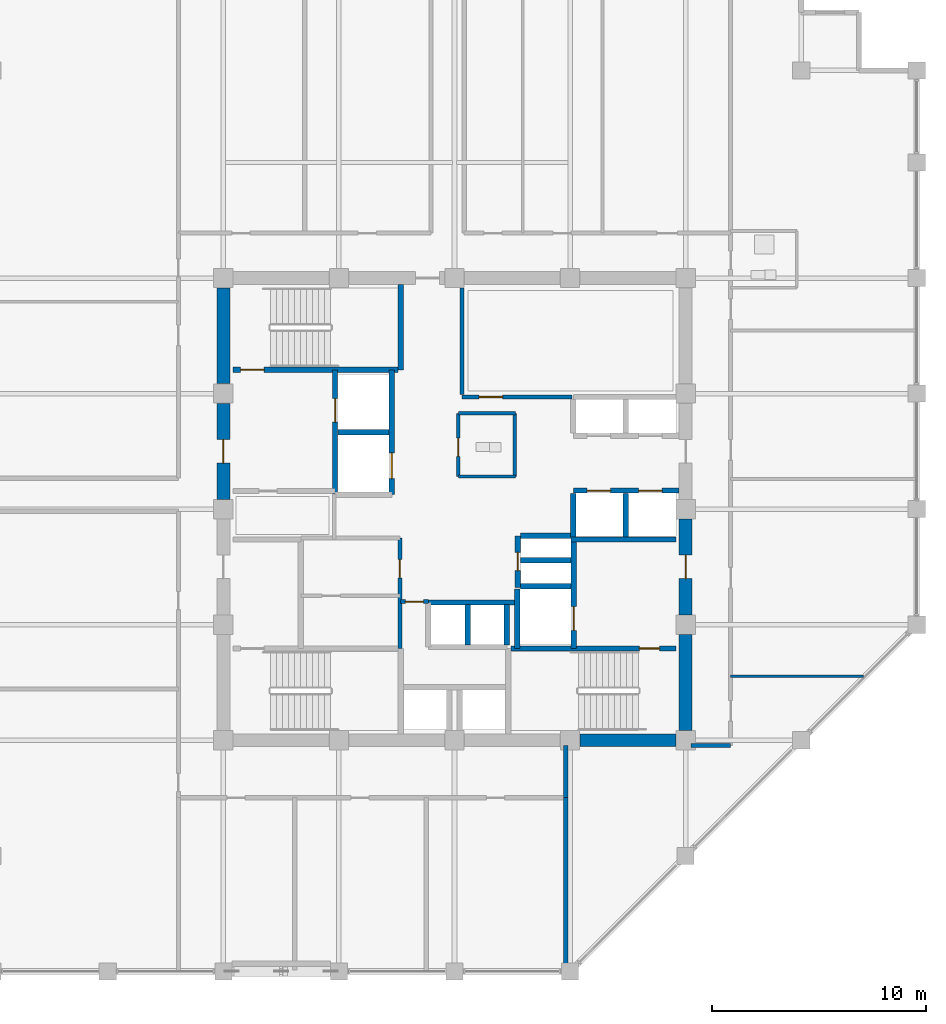
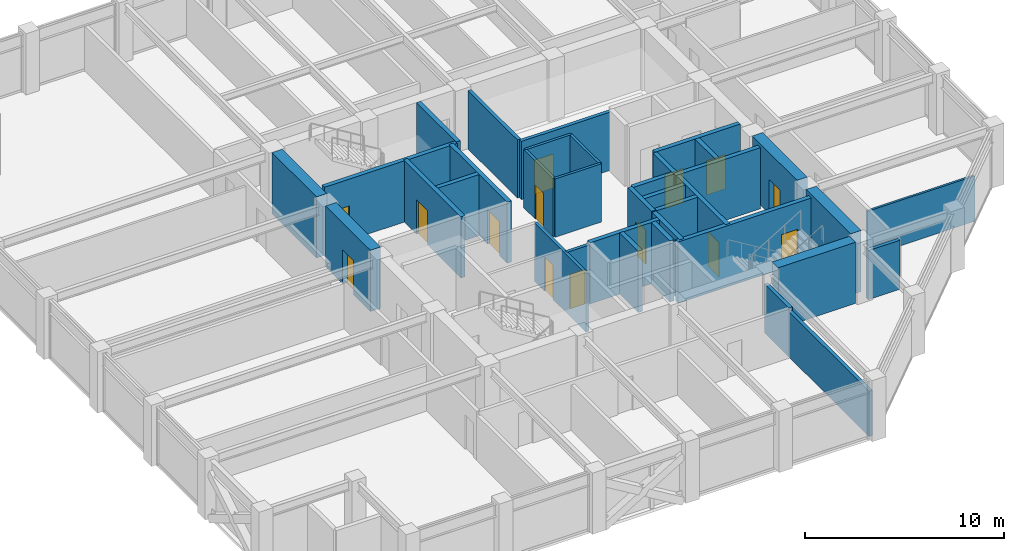
# One storey, part 28 of 32: 36 walls, 14 doors, 14 openings.
"""IFC4 building model written with IfcOpenShell, lengths in metres."""

from ifc_helpers import new_model, si_unit, direction, frame, frame_2d, origin, place, context, subcontext, project, spatial, rectangle, extrude, material, layer, layer_set, type_object, element, fill, save


model = new_model("IFC4")

# Units and contexts
model_context = context("Model", 3, precision=1e-05, world=origin(), true_north=direction((0.0, 1.0)))
body_context = subcontext(model_context, "Body", "Model", "MODEL_VIEW")
ifc_project = project(units=[si_unit("LENGTHUNIT", "METRE"), si_unit("AREAUNIT", "SQUARE_METRE"), si_unit("VOLUMEUNIT", "CUBIC_METRE"), si_unit("PLANEANGLEUNIT", "RADIAN"), si_unit("MASSUNIT", "GRAM", prefix="KILO")], contexts=[model_context])

# Site, building, storey
site_placement = place(None, origin())
site = spatial("IfcSite", under=ifc_project, at=site_placement, CompositionType="ELEMENT")
building_placement = place(site_placement, origin())
building = spatial("IfcBuilding", under=site, at=building_placement, Name="Surkhivell Harbour Commons", CompositionType="ELEMENT")
storey_placement = place(building_placement, frame((0.0, 0.0, 219.75)))
storey = spatial("IfcBuildingStorey", under=building, at=storey_placement, Name="L57", CompositionType="ELEMENT", Elevation=219.75)

# Wall
ifc_material_1 = material(Name="Concrete C60/75", Category="concrete")
ifc_layer_1 = layer(ifc_material_1, 0.60009765625)
ifc_layer_set_1 = layer_set([ifc_layer_1], Name="Concrete C60/75")
wall_type_1 = type_object("IfcWallType", Name="WAL-CORE-600", PredefinedType="SHEAR", material=ifc_layer_set_1)
wall_1_placement = place(storey_placement, frame((10.800048828125, -10.340087890625, 0.0), z_axis=(0.0, 0.0, 1.0), x_axis=(0.0, 1.0, 0.0)))
element("IfcWall", 1, at=wall_1_placement, inside=storey, type_object=wall_type_1, Name="L57 Core Shear Wall East 1", PredefinedType="SHEAR", context=body_context, shape_type="SweptSolid", body=[
    extrude(rectangle(XDim=4.47998046875, YDim=0.60009765625, at=frame_2d((2.239990234375, 0.0))), origin(), (0.0, 0.0, 1.0), 3.75),
])

# Wall, opening, door
wall_2_placement = place(storey_placement, frame((10.800048828125, -4.93994140625, 0.0), z_axis=(0.0, 0.0, 1.0), x_axis=(0.0, 1.0, 0.0)))
wall_2 = element("IfcWall", 2, at=wall_2_placement, inside=storey, type_object=wall_type_1, Name="L57 Core Shear Wall East 2", PredefinedType="SHEAR", context=body_context, shape_type="SweptSolid", body=[
    extrude(rectangle(XDim=4.47998046875, YDim=0.60009765625, at=frame_2d((2.239990234375, 0.0))), origin(), (0.0, 0.0, 1.0), 3.75),
])
opening_1_placement = place(wall_2_placement, frame((1.68994140625, 0.0, 0.0)))
opening_1 = element("IfcOpeningElement", 3, at=opening_1_placement, cuts=wall_2, Name="Opening ID-1", PredefinedType="OPENING", context=body_context, shape_type="SweptSolid", body=[
    extrude(rectangle(XDim=1.10009765625, YDim=2.10009765625, at=frame_2d((0.550048828125, 1.050048828125))), frame((0.0, 0.31005859375, 0.0), z_axis=(0.0, -1.0, 0.0), x_axis=(1.0, 0.0, 0.0)), (0.0, 0.0, 1.0), 0.6201171875),
])
ifc_material_2 = material(Name="Hardwood-veneered fire-rated door leaf", Category="wood")
door_type_1 = type_object("IfcDoorType", Name="DOR-FD120-1100", OperationType="NOTDEFINED", PredefinedType="DOOR", material=ifc_material_2)
door_1_placement = place(opening_1_placement, origin())
door_1 = element("IfcDoor", 4, at=door_1_placement, inside=storey, type_object=door_type_1, Name="L57 Firefighting Lobby 2 Corridor Door", OperationType="SINGLE_SWING_RIGHT", OverallHeight=2.10009765625, OverallWidth=1.10009765625, PredefinedType="DOOR", context=body_context, shape_type="SweptSolid", body=[
    extrude(rectangle(XDim=1.10009765625, YDim=2.10009765625, at=frame_2d((0.550048828125, 1.050048828125))), frame((0.0, 0.02490234375, 0.0), z_axis=(0.0, -1.0, 0.0), x_axis=(1.0, 0.0, 0.0)), (0.0, 0.0, 1.0), 0.050048828125),
])
fill(opening_1, door_1)

wall_3_placement = place(storey_placement, frame((-10.800048828125, 0.4599609375, 0.0), z_axis=(0.0, 0.0, 1.0), x_axis=(0.0, 1.0, 0.0)))
wall_3 = element("IfcWall", 5, at=wall_3_placement, inside=storey, type_object=wall_type_1, Name="L57 Core Shear Wall West 3", PredefinedType="SHEAR", context=body_context, shape_type="SweptSolid", body=[
    extrude(rectangle(XDim=4.47998046875, YDim=0.60009765625, at=frame_2d((2.239990234375, 0.0))), origin(), (0.0, 0.0, 1.0), 3.75),
])
opening_2_placement = place(wall_3_placement, frame((1.68994140625, 0.0, 0.0)))
opening_2 = element("IfcOpeningElement", 6, at=opening_2_placement, cuts=wall_3, Name="Opening ID-1", PredefinedType="OPENING", context=body_context, shape_type="SweptSolid", body=[
    extrude(rectangle(XDim=1.10009765625, YDim=2.10009765625, at=frame_2d((0.550048828125, 1.050048828125))), frame((0.0, 0.31005859375, 0.0), z_axis=(0.0, -1.0, 0.0), x_axis=(1.0, 0.0, 0.0)), (0.0, 0.0, 1.0), 0.6201171875),
])
door_2_placement = place(opening_2_placement, origin())
door_2 = element("IfcDoor", 7, at=door_2_placement, inside=storey, type_object=door_type_1, Name="L57 Firefighting Lobby 1 Corridor Door", OperationType="SINGLE_SWING_LEFT", OverallHeight=2.10009765625, OverallWidth=1.10009765625, PredefinedType="DOOR", context=body_context, shape_type="SweptSolid", body=[
    extrude(rectangle(XDim=1.10009765625, YDim=2.10009765625, at=frame_2d((0.550048828125, 1.050048828125))), frame((0.0, 0.02490234375, 0.0), z_axis=(0.0, -1.0, 0.0), x_axis=(1.0, 0.0, 0.0)), (0.0, 0.0, 1.0), 0.050048828125),
])
fill(opening_2, door_2)

# Walls
for number, where, z_axis, x_axis, name in (
    (8, (5.860107421875, -10.800048828125, 0.0), (0.0, 0.0, 1.0), (1.0, 0.0, 0.0), "L57 Core Shear Wall South 4"),
    (9, (-10.800048828125, 5.860107421875, 0.0), (0.0, 0.0, 1.0), (0.0, 1.0, 0.0), "L57 Core Shear Wall West 4"),
):
    element("IfcWall", number, at=place(storey_placement, frame(where, z_axis=z_axis, x_axis=x_axis)), inside=storey, type_object=wall_type_1, Name=name, PredefinedType="SHEAR", context=body_context, shape_type="SweptSolid", body=[
        extrude(rectangle(XDim=4.47998046875, YDim=0.60009765625, at=frame_2d((2.239990234375, 0.0))), origin(), (0.0, 0.0, 1.0), 3.75),
    ])
ifc_material_3 = material(Name="Moisture-resistant acoustic stud partition", Category="other")
ifc_layer_2 = layer(ifc_material_3, 0.125)
ifc_layer_set_2 = layer_set([ifc_layer_2], Name="Moisture-resistant acoustic stud partition")
wall_type_2 = type_object("IfcWallType", Name="WAL-INT-125", PredefinedType="PARTITIONING", material=ifc_layer_set_2)
wall_4_placement = place(storey_placement, frame((12.89990234375, -7.800048828125, 0.0), z_axis=(0.0, 0.0, 1.0), x_axis=(1.0, 0.0, 0.0)))
element("IfcWall", 10, at=wall_4_placement, inside=storey, type_object=wall_type_2, Name="L57 East Partition PBOT", PredefinedType="PARTITIONING", context=body_context, shape_type="SweptSolid", body=[
    extrude(rectangle(XDim=6.21533203125, YDim=0.125, at=frame_2d((3.107666015625, 0.0))), origin(), (0.0, 0.0, 1.0), 2.780029296875),
])
ifc_material_4 = material(Name="Twin-stud acoustic fireboard partition", Category="other")
ifc_layer_3 = layer(ifc_material_4, 0.14990234375)
ifc_layer_set_3 = layer_set([ifc_layer_3], Name="Twin-stud acoustic fireboard partition")
wall_type_3 = type_object("IfcWallType", Name="WAL-INT-150", PredefinedType="PARTITIONING", material=ifc_layer_set_3)
wall_5_placement = place(storey_placement, frame((2.820068359375, 1.52001953125, 0.0), z_axis=(0.0, 0.0, 1.0), x_axis=(0.0, 1.0, 0.0)))
element("IfcWall", 11, at=wall_5_placement, inside=storey, type_object=wall_type_3, Name="L57 Core Accessible WC East Wall", PredefinedType="PARTITIONING", context=body_context, shape_type="SweptSolid", body=[
    extrude(rectangle(XDim=2.9599609375, YDim=0.14990234375, at=frame_2d((1.47998046875, 0.0))), origin(), (0.0, 0.0, 1.0), 3.570068359375),
])
for number, where, z_axis, x_axis, name in (
    (12, (0.179931640625, 4.47998046875, 0.0), (0.0, 0.0, 1.0), (1.0, 0.0, 0.0), "L57 Core Accessible WC North Wall"),
    (13, (0.179931640625, 1.52001953125, 0.0), (0.0, 0.0, 1.0), (1.0, 0.0, 0.0), "L57 Core Accessible WC South Wall"),
):
    element("IfcWall", number, at=place(storey_placement, frame(where, z_axis=z_axis, x_axis=x_axis)), inside=storey, type_object=wall_type_3, Name=name, PredefinedType="PARTITIONING", context=body_context, shape_type="SweptSolid", body=[
        extrude(rectangle(XDim=2.670166015625, YDim=0.14990234375, at=frame_2d((1.3349609375, 0.0))), origin(), (0.0, 0.0, 1.0), 3.570068359375),
    ])

# Wall, opening, door
wall_6_placement = place(storey_placement, frame((0.179931640625, 1.52001953125, 0.0), z_axis=(0.0, 0.0, 1.0), x_axis=(0.0, 1.0, 0.0)))
wall_6 = element("IfcWall", 14, at=wall_6_placement, inside=storey, type_object=wall_type_3, Name="L57 Core Accessible WC West Wall", PredefinedType="PARTITIONING", context=body_context, shape_type="SweptSolid", body=[
    extrude(rectangle(XDim=2.9599609375, YDim=0.14990234375, at=frame_2d((1.47998046875, 0.0))), origin(), (0.0, 0.0, 1.0), 3.570068359375),
])
opening_3_placement = place(wall_6_placement, frame((0.949951171875, 0.0, 0.0)))
opening_3 = element("IfcOpeningElement", 15, at=opening_3_placement, cuts=wall_6, Name="Opening ID-6", PredefinedType="OPENING", context=body_context, shape_type="SweptSolid", body=[
    extrude(rectangle(XDim=0.85009765625, YDim=2.10009765625, at=frame_2d((0.425048828125, 1.050048828125))), frame((0.0, 0.0849609375, 0.0), z_axis=(0.0, -1.0, 0.0), x_axis=(1.0, 0.0, 0.0)), (0.0, 0.0, 1.0), 0.169921875),
])
door_type_2 = type_object("IfcDoorType", Name="DOR-FD30-850", OperationType="NOTDEFINED", PredefinedType="DOOR", material=ifc_material_2)
door_3_placement = place(opening_3_placement, origin())
door_3 = element("IfcDoor", 16, at=door_3_placement, inside=storey, type_object=door_type_2, Name="L57 Floor Accessible WC Door", OperationType="SINGLE_SWING_RIGHT", OverallHeight=2.10009765625, OverallWidth=0.85009765625, PredefinedType="DOOR", context=body_context, shape_type="SweptSolid", body=[
    extrude(rectangle(XDim=0.85009765625, YDim=2.10009765625, at=frame_2d((0.425048828125, 1.050048828125))), frame((0.0, 0.02490234375, 0.0), z_axis=(0.0, -1.0, 0.0), x_axis=(1.0, 0.0, 0.0)), (0.0, 0.0, 1.0), 0.050048828125),
])
fill(opening_3, door_3)

ifc_material_5 = material(Name="High-density acoustic blockwork fire partition", Category="masonry")
ifc_layer_4 = layer(ifc_material_5, 0.175048828125)
ifc_layer_set_4 = layer_set([ifc_layer_4], Name="High-density acoustic blockwork fire partition")
wall_type_4 = type_object("IfcWallType", Name="WAL-INT-175", PredefinedType="PARTITIONING", material=ifc_layer_set_4)
wall_7_placement = place(storey_placement, frame((-2.550048828125, -6.510009765625, 0.0), z_axis=(0.0, 0.0, 1.0), x_axis=(0.0, 1.0, 0.0)))
wall_7 = element("IfcWall", 17, at=wall_7_placement, inside=storey, type_object=wall_type_4, Name="L57 Core Service Bay East Wall", PredefinedType="PARTITIONING", context=body_context, shape_type="SweptSolid", body=[
    extrude(rectangle(XDim=5.159912109375, YDim=0.175048828125, at=frame_2d((2.580078125, 0.0))), origin(), (0.0, 0.0, 1.0), 3.570068359375),
])
opening_4_placement = place(wall_7_placement, frame((3.300048828125, 0.0, 0.0)))
opening_4 = element("IfcOpeningElement", 18, at=opening_4_placement, cuts=wall_7, Name="Opening ID-6", PredefinedType="OPENING", context=body_context, shape_type="SweptSolid", body=[
    extrude(rectangle(XDim=0.85009765625, YDim=2.10009765625, at=frame_2d((0.425048828125, 1.050048828125))), frame((0.0, 0.097412109375, 0.0), z_axis=(0.0, -1.0, 0.0), x_axis=(1.0, 0.0, 0.0)), (0.0, 0.0, 1.0), 0.195068359375),
])
door_4_placement = place(opening_4_placement, origin())
door_4 = element("IfcDoor", 19, at=door_4_placement, inside=storey, type_object=door_type_2, Name="L57 Core Reading Alcove Door", OperationType="SINGLE_SWING_LEFT", OverallHeight=2.10009765625, OverallWidth=0.85009765625, PredefinedType="DOOR", context=body_context, shape_type="SweptSolid", body=[
    extrude(rectangle(XDim=0.85009765625, YDim=2.10009765625, at=frame_2d((0.425048828125, 1.050048828125))), frame((0.0, 0.02490234375, 0.0), z_axis=(0.0, -1.0, 0.0), x_axis=(1.0, 0.0, 0.0)), (0.0, 0.0, 1.0), 0.050048828125),
])
fill(opening_4, door_4)

wall_8_placement = place(storey_placement, frame((-2.52001953125, -4.320068359375, 0.0), z_axis=(0.0, 0.0, 1.0), x_axis=(1.0, 0.0, 0.0)))
wall_8 = element("IfcWall", 20, at=wall_8_placement, inside=storey, type_object=wall_type_4, Name="L57 High-Rise Lobby North Portal Wall", PredefinedType="PARTITIONING", context=body_context, shape_type="SweptSolid", body=[
    extrude(rectangle(XDim=1.300048828125, YDim=0.175048828125, at=frame_2d((0.64990234375, 0.0))), origin(), (0.0, 0.0, 1.0), 3.570068359375),
])
opening_5_placement = place(wall_8_placement, frame((0.219970703125, 0.0, 0.0)))
opening_5 = element("IfcOpeningElement", 21, at=opening_5_placement, cuts=wall_8, Name="Opening ID-6", PredefinedType="OPENING", context=body_context, shape_type="SweptSolid", body=[
    extrude(rectangle(XDim=0.85009765625, YDim=2.10009765625, at=frame_2d((0.425048828125, 1.050048828125))), frame((0.0, 0.097412109375, 0.0), z_axis=(0.0, -1.0, 0.0), x_axis=(1.0, 0.0, 0.0)), (0.0, 0.0, 1.0), 0.195068359375),
])
door_5_placement = place(opening_5_placement, origin())
door_5 = element("IfcDoor", 22, at=door_5_placement, inside=storey, type_object=door_type_2, Name="L57 High-Rise Lift Lobby North Door", OperationType="SINGLE_SWING_LEFT", OverallHeight=2.10009765625, OverallWidth=0.85009765625, PredefinedType="DOOR", context=body_context, shape_type="SweptSolid", body=[
    extrude(rectangle(XDim=0.85009765625, YDim=2.10009765625, at=frame_2d((0.425048828125, 1.050048828125))), frame((0.0, 0.02490234375, 0.0), z_axis=(0.0, -1.0, 0.0), x_axis=(1.0, 0.0, 0.0)), (0.0, 0.0, 1.0), 0.050048828125),
])
fill(opening_5, door_5)

ifc_material_6 = material(Name="Autoclaved aerated concrete blockwork and fire plaster", Category="masonry")
ifc_layer_5 = layer(ifc_material_6, 0.199951171875)
ifc_layer_set_5 = layer_set([ifc_layer_5], Name="Autoclaved aerated concrete blockwork and fire plaster")
wall_type_5 = type_object("IfcWallType", Name="WAL-INT-200", PredefinedType="PARTITIONING", material=ifc_layer_set_5)
wall_9_placement = place(storey_placement, frame((0.35009765625, 5.239990234375, 0.0), z_axis=(0.0, 0.0, 1.0), x_axis=(1.0, 0.0, 0.0)))
wall_9 = element("IfcWall", 23, at=wall_9_placement, inside=storey, type_object=wall_type_5, Name="L57 Reclaimed Core North Bay South Wall", PredefinedType="PARTITIONING", context=body_context, shape_type="SweptSolid", body=[
    extrude(rectangle(XDim=5.14990234375, YDim=0.199951171875, at=frame_2d((2.574951171875, 0.0))), origin(), (0.0, 0.0, 1.0), 3.570068359375),
])
opening_6_placement = place(wall_9_placement, frame((0.800048828125, 0.0, 0.0)))
opening_6 = element("IfcOpeningElement", 24, at=opening_6_placement, cuts=wall_9, Name="Opening ID-2", PredefinedType="OPENING", context=body_context, shape_type="SweptSolid", body=[
    extrude(rectangle(XDim=1.10009765625, YDim=2.10009765625, at=frame_2d((0.550048828125, 1.050048828125))), frame((0.0, 0.10986328125, 0.0), z_axis=(0.0, -1.0, 0.0), x_axis=(1.0, 0.0, 0.0)), (0.0, 0.0, 1.0), 0.219970703125),
])
door_type_3 = type_object("IfcDoorType", Name="DOR-FD60-1100", OperationType="NOTDEFINED", PredefinedType="DOOR", material=ifc_material_2)
door_6_placement = place(opening_6_placement, origin())
door_6 = element("IfcDoor", 25, at=door_6_placement, inside=storey, type_object=door_type_3, Name="L57 Reading Library Door", OperationType="SINGLE_SWING_LEFT", OverallHeight=2.10009765625, OverallWidth=1.10009765625, PredefinedType="DOOR", context=body_context, shape_type="SweptSolid", body=[
    extrude(rectangle(XDim=1.10009765625, YDim=2.10009765625, at=frame_2d((0.550048828125, 1.050048828125))), frame((0.0, 0.02490234375, 0.0), z_axis=(0.0, -1.0, 0.0), x_axis=(1.0, 0.0, 0.0)), (0.0, 0.0, 1.0), 0.050048828125),
])
fill(opening_6, door_6)

# Walls
wall_10_placement = place(storey_placement, frame((0.35009765625, 5.360107421875, 0.0), z_axis=(0.0, 0.0, 1.0), x_axis=(0.0, 1.0, 0.0)))
element("IfcWall", 26, at=wall_10_placement, inside=storey, type_object=wall_type_5, Name="L57 Reclaimed Core North Bay West Wall", PredefinedType="PARTITIONING", context=body_context, shape_type="SweptSolid", body=[
    extrude(rectangle(XDim=4.97998046875, YDim=0.199951171875, at=frame_2d((2.489990234375, 0.0))), origin(), (0.0, 0.0, 1.0), 3.570068359375),
])
wall_11_placement = place(storey_placement, frame((5.199951171875, -21.5400390625, 0.0), z_axis=(0.0, 0.0, 1.0), x_axis=(0.0, 1.0, 0.0)))
element("IfcWall", 27, at=wall_11_placement, inside=storey, type_object=wall_type_5, Name="L57 South-East Corner Wall", PredefinedType="PARTITIONING", context=body_context, shape_type="SweptSolid", body=[
    extrude(rectangle(XDim=8.06005859375, YDim=0.199951171875, at=frame_2d((4.030029296875, 0.0))), origin(), (0.0, 0.0, 1.0), 2.780029296875),
])
wall_12_placement = place(storey_placement, frame((11.0400390625, -11.0400390625, 0.0), z_axis=(0.0, 0.0, 1.0), x_axis=(1.0, 0.0, 0.0)))
element("IfcWall", 28, at=wall_12_placement, inside=storey, type_object=wall_type_5, Name="L57 Corridor East South Closure Wall", PredefinedType="PARTITIONING", context=body_context, shape_type="SweptSolid", body=[
    extrude(rectangle(XDim=1.85986328125, YDim=0.199951171875, at=frame_2d((0.929931640625, 0.0))), origin(), (0.0, 0.0, 1.0), 3.006103515625),
])
wall_13_placement = place(storey_placement, frame((5.199951171875, -13.47998046875, 0.0), z_axis=(0.0, 0.0, 1.0), x_axis=(0.0, 1.0, 0.0)))
element("IfcWall", 29, at=wall_13_placement, inside=storey, type_object=wall_type_5, Name="L57 Corridor South End Wall", PredefinedType="PARTITIONING", context=body_context, shape_type="SweptSolid", body=[
    extrude(rectangle(XDim=2.43994140625, YDim=0.199951171875, at=frame_2d((1.219970703125, 0.0))), origin(), (0.0, 0.0, 1.0), 3.006103515625),
])

# Wall, opening, door
ifc_material_7 = material(Name="Concrete C50/60", Category="concrete")
ifc_layer_6 = layer(ifc_material_7, 0.25)
ifc_layer_set_6 = layer_set([ifc_layer_6], Name="Concrete C50/60")
wall_type_6 = type_object("IfcWallType", Name="WAL-SHAFT-250", PredefinedType="SHEAR", material=ifc_layer_set_6)
wall_14_placement = place(storey_placement, frame((-5.580078125, 0.719970703125, 0.0), z_axis=(0.0, 0.0, 1.0), x_axis=(0.0, 1.0, 0.0)))
wall_14 = element("IfcWall", 30, at=wall_14_placement, inside=storey, type_object=wall_type_6, Name="L57 Firefighting Lobby 1 East Shaft Wall", PredefinedType="SHEAR", context=body_context, shape_type="SweptSolid", body=[
    extrude(rectangle(XDim=5.7900390625, YDim=0.25, at=frame_2d((2.89501953125, 0.0))), origin(), (0.0, 0.0, 1.0), 3.75),
])
opening_7_placement = place(wall_14_placement, frame((3.35009765625, 0.0, 0.0)))
opening_7 = element("IfcOpeningElement", 31, at=opening_7_placement, cuts=wall_14, Name="Opening LD-1", PredefinedType="OPENING", context=body_context, shape_type="SweptSolid", body=[
    extrude(rectangle(XDim=1.10009765625, YDim=2.10009765625, at=frame_2d((0.550048828125, 1.050048828125))), frame((0.0, 0.135009765625, 0.0), z_axis=(0.0, -1.0, 0.0), x_axis=(1.0, 0.0, 0.0)), (0.0, 0.0, 1.0), 0.27001953125),
])
ifc_material_8 = material(Name="Brushed stainless steel S355", Category="steel")
door_type_4 = type_object("IfcDoorType", Name="DOR-LD-1100", OperationType="SLIDING_TO_LEFT", PredefinedType="DOOR", material=ifc_material_8)
door_7_placement = place(opening_7_placement, origin())
door_7 = element("IfcDoor", 32, at=door_7_placement, inside=storey, type_object=door_type_4, Name="L57 Lift Landing Door LD-FFL1", OperationType="SLIDING_TO_LEFT", OverallHeight=2.10009765625, OverallWidth=1.10009765625, PredefinedType="DOOR", context=body_context, shape_type="SweptSolid", body=[
    extrude(rectangle(XDim=1.10009765625, YDim=2.10009765625, at=frame_2d((0.550048828125, 1.050048828125))), frame((0.0, 0.02490234375, 0.0), z_axis=(0.0, -1.0, 0.0), x_axis=(1.0, 0.0, 0.0)), (0.0, 0.0, 1.0), 0.050048828125),
])
fill(opening_7, door_7)

# Walls
wall_15_placement = place(storey_placement, frame((2.929931640625, -6.510009765625, 0.0), z_axis=(0.0, 0.0, 1.0), x_axis=(0.0, 1.0, 0.0)))
element("IfcWall", 33, at=wall_15_placement, inside=storey, type_object=wall_type_6, Name="L57 FFL2 West Shaft Wall", PredefinedType="SHEAR", context=body_context, shape_type="SweptSolid", body=[
    extrude(rectangle(XDim=2.7900390625, YDim=0.25, at=frame_2d((1.39501953125, 0.0))), origin(), (0.0, 0.0, 1.0), 3.75),
])
wall_16_placement = place(storey_placement, frame((5.43994140625, -1.419921875, 0.0), z_axis=(0.0, 0.0, 1.0), x_axis=(1.0, 0.0, 0.0)))
element("IfcWall", 34, at=wall_16_placement, inside=storey, type_object=wall_type_6, Name="L57 Firefighting Lobby 2 North Wall", PredefinedType="SHEAR", context=body_context, shape_type="SweptSolid", body=[
    extrude(rectangle(XDim=4.900146484375, YDim=0.25, at=frame_2d((2.4501953125, 0.0))), origin(), (0.0, 0.0, 1.0), 3.75),
])
wall_17_placement = place(storey_placement, frame((3.080078125, -3.60009765625, 0.0), z_axis=(0.0, 0.0, 1.0), x_axis=(1.0, 0.0, 0.0)))
element("IfcWall", 35, at=wall_17_placement, inside=storey, type_object=wall_type_6, Name="L57 FFL2 North Shaft Wall", PredefinedType="SHEAR", context=body_context, shape_type="SweptSolid", body=[
    extrude(rectangle(XDim=2.369873046875, YDim=0.25, at=frame_2d((1.18505859375, 0.0))), origin(), (0.0, 0.0, 1.0), 3.75),
])

# Wall, opening, door
wall_18_placement = place(storey_placement, frame((5.580078125, -6.510009765625, 0.0), z_axis=(0.0, 0.0, 1.0), x_axis=(0.0, 1.0, 0.0)))
wall_18 = element("IfcWall", 36, at=wall_18_placement, inside=storey, type_object=wall_type_6, Name="L57 Firefighting Lobby 2 West Shaft Wall", PredefinedType="SHEAR", context=body_context, shape_type="SweptSolid", body=[
    extrude(rectangle(XDim=5.090087890625, YDim=0.25, at=frame_2d((2.544921875, 0.0))), origin(), (0.0, 0.0, 1.0), 3.75),
])
opening_8_placement = place(wall_18_placement, frame((0.85009765625, 0.0, 0.0)))
opening_8 = element("IfcOpeningElement", 37, at=opening_8_placement, cuts=wall_18, Name="Opening LD-1", PredefinedType="OPENING", context=body_context, shape_type="SweptSolid", body=[
    extrude(rectangle(XDim=1.10009765625, YDim=2.10009765625, at=frame_2d((0.550048828125, 1.050048828125))), frame((0.0, 0.135009765625, 0.0), z_axis=(0.0, -1.0, 0.0), x_axis=(1.0, 0.0, 0.0)), (0.0, 0.0, 1.0), 0.27001953125),
])
door_8_placement = place(opening_8_placement, origin())
door_8 = element("IfcDoor", 38, at=door_8_placement, inside=storey, type_object=door_type_4, Name="L57 Lift Landing Door LD-FFL2", OperationType="SLIDING_TO_RIGHT", OverallHeight=2.10009765625, OverallWidth=1.10009765625, PredefinedType="DOOR", context=body_context, shape_type="SweptSolid", body=[
    extrude(rectangle(XDim=1.10009765625, YDim=2.10009765625, at=frame_2d((0.550048828125, 1.050048828125))), frame((0.0, 0.02490234375, 0.0), z_axis=(0.0, -1.0, 0.0), x_axis=(1.0, 0.0, 0.0)), (0.0, 0.0, 1.0), 0.050048828125),
])
fill(opening_8, door_8)

# Walls
for number, where, z_axis, x_axis, name in (
    (39, (0.6201171875, -6.340087890625, 0.0), (0.0, 0.0, 1.0), (0.0, 1.0, 0.0), "L57 High-Rise Side Wall N"),
    (40, (2.449951171875, -6.340087890625, 0.0), (0.0, 0.0, 1.0), (0.0, 1.0, 0.0), "L57 High-Rise Side Wall N"),
):
    element("IfcWall", number, at=place(storey_placement, frame(where, z_axis=z_axis, x_axis=x_axis)), inside=storey, type_object=wall_type_6, Name=name, PredefinedType="SHEAR", context=body_context, shape_type="SweptSolid", body=[
        extrude(rectangle(XDim=1.880126953125, YDim=0.25, at=frame_2d((0.93994140625, 0.0))), origin(), (0.0, 0.0, 1.0), 3.75),
    ])
wall_19_placement = place(storey_placement, frame((-1.219970703125, -4.360107421875, 0.0), z_axis=(0.0, 0.0, 1.0), x_axis=(1.0, 0.0, 0.0)))
element("IfcWall", 41, at=wall_19_placement, inside=storey, type_object=wall_type_6, Name="L57 High-Rise North Back Shaft Wall", PredefinedType="SHEAR", context=body_context, shape_type="SweptSolid", body=[
    extrude(rectangle(XDim=4.030029296875, YDim=0.25, at=frame_2d((2.01513671875, 0.0))), origin(), (0.0, 0.0, 1.0), 3.75),
])
for number, where, z_axis, x_axis, name in (
    (42, (5.550048828125, -1.300048828125, 0.0), (0.0, 0.0, 1.0), (0.0, 1.0, 0.0), "L57 Mid-Rise Shaft Side Wall S"),
    (43, (8.0, -1.300048828125, 0.0), (0.0, 0.0, 1.0), (0.0, 1.0, 0.0), "L57 Mid-Rise Shaft Side Wall S"),
):
    element("IfcWall", number, at=place(storey_placement, frame(where, z_axis=z_axis, x_axis=x_axis)), inside=storey, type_object=wall_type_6, Name=name, PredefinedType="SHEAR", context=body_context, shape_type="SweptSolid", body=[
        extrude(rectangle(XDim=2.0400390625, YDim=0.25, at=frame_2d((1.02001953125, 0.0))), origin(), (0.0, 0.0, 1.0), 3.75),
    ])

# Wall, openings, doors
wall_20_placement = place(storey_placement, frame((5.550048828125, 0.8701171875, 0.0), z_axis=(0.0, 0.0, 1.0), x_axis=(1.0, 0.0, 0.0)))
wall_20 = element("IfcWall", 44, at=wall_20_placement, inside=storey, type_object=wall_type_6, Name="L57 Mid-Rise South Front Shaft Wall", PredefinedType="SHEAR", context=body_context, shape_type="SweptSolid", body=[
    extrude(rectangle(XDim=4.949951171875, YDim=0.25, at=frame_2d((2.47509765625, 0.0))), origin(), (0.0, 0.0, 1.0), 3.75),
])
opening_9_placement = place(wall_20_placement, frame((0.64990234375, 0.0, 0.0)))
opening_9 = element("IfcOpeningElement", 45, at=opening_9_placement, cuts=wall_20, Name="Opening LD-1", PredefinedType="OPENING", context=body_context, shape_type="SweptSolid", body=[
    extrude(rectangle(XDim=1.10009765625, YDim=2.10009765625, at=frame_2d((0.550048828125, 1.050048828125))), frame((0.0, 0.135009765625, 0.0), z_axis=(0.0, -1.0, 0.0), x_axis=(1.0, 0.0, 0.0)), (0.0, 0.0, 1.0), 0.27001953125),
])
opening_10_placement = place(wall_20_placement, frame((3.050048828125, 0.0, 0.0)))
opening_10 = element("IfcOpeningElement", 46, at=opening_10_placement, cuts=wall_20, Name="Opening LD-1", PredefinedType="OPENING", context=body_context, shape_type="SweptSolid", body=[
    extrude(rectangle(XDim=1.10009765625, YDim=2.10009765625, at=frame_2d((0.550048828125, 1.050048828125))), frame((0.0, 0.135009765625, 0.0), z_axis=(0.0, -1.0, 0.0), x_axis=(1.0, 0.0, 0.0)), (0.0, 0.0, 1.0), 0.27001953125),
])
door_9_placement = place(opening_9_placement, origin())
door_9 = element("IfcDoor", 47, at=door_9_placement, inside=storey, type_object=door_type_4, Name="L57 Lift Landing Door LD-PM3", OperationType="SLIDING_TO_RIGHT", OverallHeight=2.10009765625, OverallWidth=1.10009765625, PredefinedType="DOOR", context=body_context, shape_type="SweptSolid", body=[
    extrude(rectangle(XDim=1.10009765625, YDim=2.10009765625, at=frame_2d((0.550048828125, 1.050048828125))), frame((0.0, 0.02490234375, 0.0), z_axis=(0.0, -1.0, 0.0), x_axis=(1.0, 0.0, 0.0)), (0.0, 0.0, 1.0), 0.050048828125),
])
fill(opening_9, door_9)
door_10_placement = place(opening_10_placement, origin())
door_10 = element("IfcDoor", 48, at=door_10_placement, inside=storey, type_object=door_type_4, Name="L57 Lift Landing Door LD-PM4", OperationType="SLIDING_TO_RIGHT", OverallHeight=2.10009765625, OverallWidth=1.10009765625, PredefinedType="DOOR", context=body_context, shape_type="SweptSolid", body=[
    extrude(rectangle(XDim=1.10009765625, YDim=2.10009765625, at=frame_2d((0.550048828125, 1.050048828125))), frame((0.0, 0.02490234375, 0.0), z_axis=(0.0, -1.0, 0.0), x_axis=(1.0, 0.0, 0.0)), (0.0, 0.0, 1.0), 0.050048828125),
])
fill(opening_10, door_10)

# Walls
for number, where, z_axis, x_axis, name in (
    (49, (3.080078125, -2.3798828125, 0.0), (0.0, 0.0, 1.0), (1.0, 0.0, 0.0), "L57 Riser Divider Wall"),
    (50, (3.080078125, -1.25, 0.0), (0.0, 0.0, 1.0), (1.0, 0.0, 0.0), "L57 Riser North Wall"),
):
    element("IfcWall", number, at=place(storey_placement, frame(where, z_axis=z_axis, x_axis=x_axis)), inside=storey, type_object=wall_type_6, Name=name, PredefinedType="SHEAR", context=body_context, shape_type="SweptSolid", body=[
        extrude(rectangle(XDim=2.369873046875, YDim=0.25, at=frame_2d((1.18505859375, 0.0))), origin(), (0.0, 0.0, 1.0), 3.75),
    ])

# Wall, opening, door
wall_21_placement = place(storey_placement, frame((2.949951171875, -3.64990234375, 0.0), z_axis=(0.0, 0.0, 1.0), x_axis=(0.0, 1.0, 0.0)))
wall_21 = element("IfcWall", 51, at=wall_21_placement, inside=storey, type_object=wall_type_6, Name="L57 Riser Shaft West Wall", PredefinedType="SHEAR", context=body_context, shape_type="SweptSolid", body=[
    extrude(rectangle(XDim=2.39990234375, YDim=0.25, at=frame_2d((1.199951171875, 0.0))), origin(), (0.0, 0.0, 1.0), 3.75),
])
opening_11_placement = place(wall_21_placement, frame((0.77490234375, 0.0, 0.0)))
opening_11 = element("IfcOpeningElement", 52, at=opening_11_placement, cuts=wall_21, Name="Opening ID-6", PredefinedType="OPENING", context=body_context, shape_type="SweptSolid", body=[
    extrude(rectangle(XDim=0.85009765625, YDim=2.10009765625, at=frame_2d((0.425048828125, 1.050048828125))), frame((0.0, 0.135009765625, 0.0), z_axis=(0.0, -1.0, 0.0), x_axis=(1.0, 0.0, 0.0)), (0.0, 0.0, 1.0), 0.27001953125),
])
door_11_placement = place(opening_11_placement, origin())
door_11 = element("IfcDoor", 53, at=door_11_placement, inside=storey, type_object=door_type_2, Name="L57 Electrical Riser Access Door", OperationType="SINGLE_SWING_LEFT", OverallHeight=2.10009765625, OverallWidth=0.85009765625, PredefinedType="DOOR", context=body_context, shape_type="SweptSolid", body=[
    extrude(rectangle(XDim=0.85009765625, YDim=2.10009765625, at=frame_2d((0.425048828125, 1.050048828125))), frame((0.0, 0.02490234375, 0.0), z_axis=(0.0, -1.0, 0.0), x_axis=(1.0, 0.0, 0.0)), (0.0, 0.0, 1.0), 0.050048828125),
])
fill(opening_11, door_11)

# Wall
wall_22_placement = place(storey_placement, frame((-2.510009765625, 6.510009765625, 0.0), z_axis=(0.0, 0.0, 1.0), x_axis=(0.0, 1.0, 0.0)))
element("IfcWall", 54, at=wall_22_placement, inside=storey, type_object=wall_type_6, Name="L57 Stair ST1 East Shear Wall", PredefinedType="SHEAR", context=body_context, shape_type="SweptSolid", body=[
    extrude(rectangle(XDim=3.989990234375, YDim=0.25, at=frame_2d((1.9951171875, 0.0))), origin(), (0.0, 0.0, 1.0), 3.75),
])

# Wall, opening, door
wall_23_placement = place(storey_placement, frame((-10.340087890625, 6.510009765625, 0.0), z_axis=(0.0, 0.0, 1.0), x_axis=(1.0, 0.0, 0.0)))
wall_23 = element("IfcWall", 55, at=wall_23_placement, inside=storey, type_object=wall_type_6, Name="L57 Stair ST1 South Shear Wall", PredefinedType="SHEAR", context=body_context, shape_type="SweptSolid", body=[
    extrude(rectangle(XDim=7.7001953125, YDim=0.25, at=frame_2d((3.85009765625, 0.0))), origin(), (0.0, 0.0, 1.0), 3.75),
])
opening_12_placement = place(wall_23_placement, frame((0.35009765625, 0.0, 0.0)))
opening_12 = element("IfcOpeningElement", 56, at=opening_12_placement, cuts=wall_23, Name="Opening ID-2", PredefinedType="OPENING", context=body_context, shape_type="SweptSolid", body=[
    extrude(rectangle(XDim=1.10009765625, YDim=2.10009765625, at=frame_2d((0.550048828125, 1.050048828125))), frame((0.0, 0.135009765625, 0.0), z_axis=(0.0, -1.0, 0.0), x_axis=(1.0, 0.0, 0.0)), (0.0, 0.0, 1.0), 0.27001953125),
])
door_12_placement = place(opening_12_placement, origin())
door_12 = element("IfcDoor", 57, at=door_12_placement, inside=storey, type_object=door_type_3, Name="L57 Stair ST1 Exit Door", OperationType="SINGLE_SWING_LEFT", OverallHeight=2.10009765625, OverallWidth=1.10009765625, PredefinedType="DOOR", context=body_context, shape_type="SweptSolid", body=[
    extrude(rectangle(XDim=1.10009765625, YDim=2.10009765625, at=frame_2d((0.550048828125, 1.050048828125))), frame((0.0, 0.02490234375, 0.0), z_axis=(0.0, -1.0, 0.0), x_axis=(1.0, 0.0, 0.0)), (0.0, 0.0, 1.0), 0.050048828125),
])
fill(opening_12, door_12)

wall_24_placement = place(storey_placement, frame((2.639892578125, -6.510009765625, 0.0), z_axis=(0.0, 0.0, 1.0), x_axis=(1.0, 0.0, 0.0)))
wall_24 = element("IfcWall", 58, at=wall_24_placement, inside=storey, type_object=wall_type_6, Name="L57 Stair ST2 North Shear Wall", PredefinedType="SHEAR", context=body_context, shape_type="SweptSolid", body=[
    extrude(rectangle(XDim=7.7001953125, YDim=0.25, at=frame_2d((3.85009765625, 0.0))), origin(), (0.0, 0.0, 1.0), 3.75),
])
opening_13_placement = place(wall_24_placement, frame((6.0, 0.0, 0.0)))
opening_13 = element("IfcOpeningElement", 59, at=opening_13_placement, cuts=wall_24, Name="Opening ID-4", PredefinedType="OPENING", context=body_context, shape_type="SweptSolid", body=[
    extrude(rectangle(XDim=0.949951171875, YDim=2.10009765625, at=frame_2d((0.47509765625, 1.050048828125))), frame((0.0, 0.135009765625, 0.0), z_axis=(0.0, -1.0, 0.0), x_axis=(1.0, 0.0, 0.0)), (0.0, 0.0, 1.0), 0.27001953125),
])
door_type_5 = type_object("IfcDoorType", Name="DOR-FD60-950", OperationType="NOTDEFINED", PredefinedType="DOOR", material=ifc_material_2)
door_13_placement = place(opening_13_placement, origin())
door_13 = element("IfcDoor", 60, at=door_13_placement, inside=storey, type_object=door_type_5, Name="L57 Stair ST2 Exit Door", OperationType="SINGLE_SWING_RIGHT", OverallHeight=2.10009765625, OverallWidth=0.949951171875, PredefinedType="DOOR", context=body_context, shape_type="SweptSolid", body=[
    extrude(rectangle(XDim=0.949951171875, YDim=2.10009765625, at=frame_2d((0.47509765625, 1.050048828125))), frame((0.0, 0.02490234375, 0.0), z_axis=(0.0, -1.0, 0.0), x_axis=(1.0, 0.0, 0.0)), (0.0, 0.0, 1.0), 0.050048828125),
])
fill(opening_13, door_13)

wall_25_placement = place(storey_placement, frame((-2.929931640625, 0.679931640625, 0.0), z_axis=(0.0, 0.0, 1.0), x_axis=(0.0, 1.0, 0.0)))
wall_25 = element("IfcWall", 61, at=wall_25_placement, inside=storey, type_object=wall_type_6, Name="L57 Service and Fire Lift East Shaft Wall", PredefinedType="SHEAR", context=body_context, shape_type="SweptSolid", body=[
    extrude(rectangle(XDim=5.830078125, YDim=0.25, at=frame_2d((2.9150390625, 0.0))), origin(), (0.0, 0.0, 1.0), 3.75),
])
opening_14_placement = place(wall_25_placement, frame((0.75, 0.0, 0.0)))
opening_14 = element("IfcOpeningElement", 62, at=opening_14_placement, cuts=wall_25, Name="Opening LD-2", PredefinedType="OPENING", context=body_context, shape_type="SweptSolid", body=[
    extrude(rectangle(XDim=1.199951171875, YDim=2.10009765625, at=frame_2d((0.60009765625, 1.050048828125))), frame((0.0, 0.135009765625, 0.0), z_axis=(0.0, -1.0, 0.0), x_axis=(1.0, 0.0, 0.0)), (0.0, 0.0, 1.0), 0.27001953125),
])
door_type_6 = type_object("IfcDoorType", Name="DOR-LD-1200", OperationType="SLIDING_TO_LEFT", PredefinedType="DOOR", material=ifc_material_8)
door_14_placement = place(opening_14_placement, origin())
door_14 = element("IfcDoor", 63, at=door_14_placement, inside=storey, type_object=door_type_6, Name="L57 Lift Landing Door LD-SVL1", OperationType="SLIDING_TO_LEFT", OverallHeight=2.10009765625, OverallWidth=1.199951171875, PredefinedType="DOOR", context=body_context, shape_type="SweptSolid", body=[
    extrude(rectangle(XDim=1.199951171875, YDim=2.10009765625, at=frame_2d((0.60009765625, 1.050048828125))), frame((0.0, 0.02490234375, 0.0), z_axis=(0.0, -1.0, 0.0), x_axis=(1.0, 0.0, 0.0)), (0.0, 0.0, 1.0), 0.050048828125),
])
fill(opening_14, door_14)

# Wall
wall_26_placement = place(storey_placement, frame((-5.449951171875, 3.60009765625, 0.0), z_axis=(0.0, 0.0, 1.0), x_axis=(1.0, 0.0, 0.0)))
element("IfcWall", 64, at=wall_26_placement, inside=storey, type_object=wall_type_6, Name="L57 FFL1/SVL1 Shaft Divider", PredefinedType="SHEAR", context=body_context, shape_type="SweptSolid", body=[
    extrude(rectangle(XDim=2.389892578125, YDim=0.25, at=frame_2d((1.19482421875, 0.0))), origin(), (0.0, 0.0, 1.0), 3.75),
])

save(model, "model.ifc")
